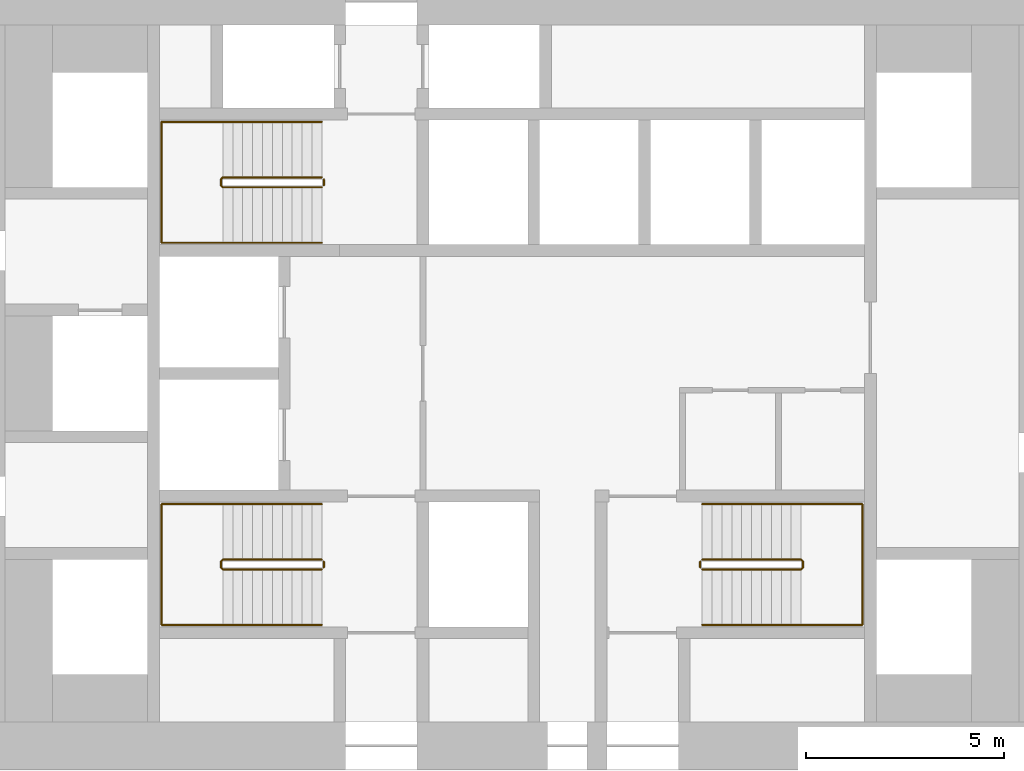
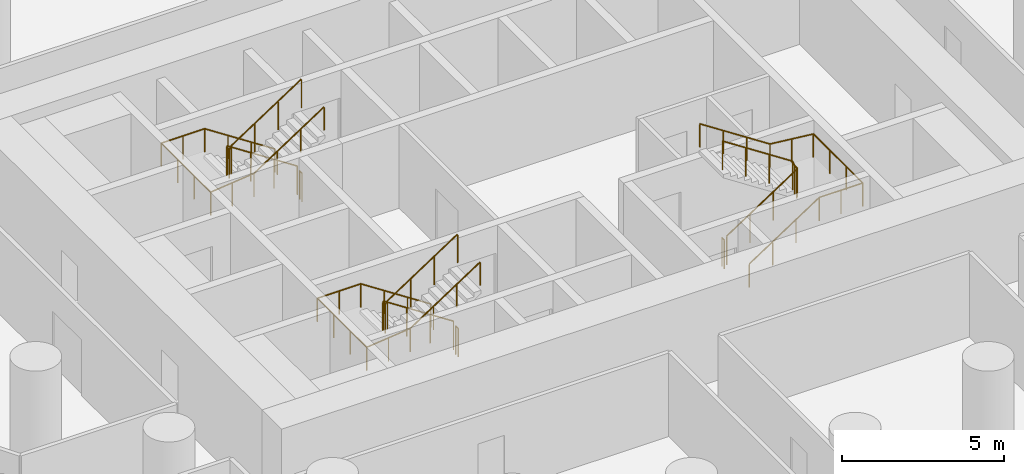
# One storey, part 12 of 12: 9 railings.
"""IFC4 building model written with IfcOpenShell, lengths in metres."""

from ifc_helpers import new_model, si_unit, direction, frame, origin, origin_2d, place, context, subcontext, project, spatial, circle, extrude, material, type_object, element, save


model = new_model("IFC4")

# Units and contexts
model_context = context("Model", 3, precision=1e-05, world=origin(), true_north=direction((0.0, 1.0)))
body_context = subcontext(model_context, "Body", "Model", "MODEL_VIEW")
ifc_project = project(units=[si_unit("LENGTHUNIT", "METRE"), si_unit("AREAUNIT", "SQUARE_METRE"), si_unit("VOLUMEUNIT", "CUBIC_METRE"), si_unit("PLANEANGLEUNIT", "RADIAN"), si_unit("MASSUNIT", "GRAM", prefix="KILO")], contexts=[model_context])

# Site, building, storey
site_placement = place(None, origin())
site = spatial("IfcSite", under=ifc_project, at=site_placement, CompositionType="ELEMENT")
building_placement = place(site_placement, origin())
building = spatial("IfcBuilding", under=site, at=building_placement, Name="Tracery Tower", CompositionType="ELEMENT")
storey_placement = place(building_placement, frame((0.0, 0.0, 53.39990234375)))
storey = spatial("IfcBuildingStorey", under=building, at=storey_placement, Name="L12", CompositionType="ELEMENT", Elevation=53.39990234375)

# Railings
ifc_material_1 = material(Name="Stainless steel and laminated glass", Category="steel")
railing_type_1 = type_object("IfcRailingType", Name="Stair guard 1100", PredefinedType="GUARDRAIL", material=ifc_material_1)
railing_1_placement = place(storey_placement, frame((-4.800048828125, -4.699951171875, 0.163818359375)))
element("IfcRailing", 1, at=railing_1_placement, inside=storey, type_object=railing_type_1, Name="L12 stair ST1 guard 1", PredefinedType="GUARDRAIL", context=body_context, shape_type="SweptSolid", body=[
    extrude(circle(Radius=0.02392578125, at=origin_2d()), frame((0.0, 0.0, 1.076171875), z_axis=(-0.836721939367, 0.0, 0.547627972425), x_axis=(0.0, -1.0, 0.0)), (0.0, 0.0, 1.0), 2.98779296875),
    extrude(circle(Radius=0.02392578125, at=origin_2d()), frame((-2.5, 0.0, 2.71240234375), z_axis=(-0.707106781187, -0.707106781187, 0.0), x_axis=(0.707106781187, -0.707106781187, 0.0)), (0.0, 0.0, 1.0), 0.07080078125),
    extrude(circle(Radius=0.02392578125, at=origin_2d()), frame((-2.550048828125, -0.050048828125, 2.71240234375), z_axis=(0.0, -1.0, 0.0), x_axis=(1.0, 0.0, 0.0)), (0.0, 0.0, 1.0), 0.14990234375),
    extrude(circle(Radius=0.02392578125, at=origin_2d()), frame((-2.550048828125, -0.199951171875, 2.71240234375), z_axis=(0.280808744504, -0.280808744504, 0.917765164963), x_axis=(0.707106781187, 0.707106781187, 0.0)), (0.0, 0.0, 1.0), 0.17822265625),
    extrude(circle(Radius=0.02392578125, at=origin_2d()), frame((-2.5, -0.25, 2.8759765625), z_axis=(0.83668449804, 0.0, 0.54768517484), x_axis=(0.0, 1.0, 0.0)), (0.0, 0.0, 1.0), 2.988037109375),
    extrude(circle(Radius=0.02099609375, at=origin_2d()), origin(), (0.0, 0.0, 1.0), 1.052001953125),
    extrude(circle(Radius=0.02099609375, at=origin_2d()), frame((-0.833251953125, 0.0, 0.54541015625)), (0.0, 0.0, 1.0), 1.052001953125),
    extrude(circle(Radius=0.02099609375, at=origin_2d()), frame((-1.666748046875, 0.0, 1.0908203125)), (0.0, 0.0, 1.0), 1.052001953125),
    extrude(circle(Radius=0.02099609375, at=origin_2d()), frame((-2.5, 0.0, 1.63623046875)), (0.0, 0.0, 1.0), 1.052001953125),
    extrude(circle(Radius=0.02099609375, at=origin_2d()), frame((-2.550048828125, -0.050048828125, 1.63623046875)), (0.0, 0.0, 1.0), 1.052001953125),
    extrude(circle(Radius=0.02099609375, at=origin_2d()), frame((-2.550048828125, -0.199951171875, 1.63623046875)), (0.0, 0.0, 1.0), 1.052001953125),
    extrude(circle(Radius=0.02099609375, at=origin_2d()), frame((-2.5, -0.25, 1.7998046875)), (0.0, 0.0, 1.0), 1.052001953125),
    extrude(circle(Radius=0.02099609375, at=origin_2d()), frame((-1.666748046875, -0.25, 2.34521484375)), (0.0, 0.0, 1.0), 1.052001953125),
    extrude(circle(Radius=0.02099609375, at=origin_2d()), frame((-0.833251953125, -0.25, 2.890869140625)), (0.0, 0.0, 1.0), 1.052001953125),
    extrude(circle(Radius=0.02099609375, at=origin_2d()), frame((0.0, -0.25, 3.436279296875)), (0.0, 0.0, 1.0), 1.052001953125),
])
railing_2_placement = place(storey_placement, frame((-4.75, -4.75, 0.0)))
element("IfcRailing", 2, at=railing_2_placement, inside=storey, type_object=railing_type_1, Name="L12 stair ST1 guard 2", PredefinedType="GUARDRAIL", context=body_context, shape_type="SweptSolid", body=[
    extrude(circle(Radius=0.02392578125, at=origin_2d()), frame((0.0, 0.0, 1.076171875), z_axis=(0.0, -1.0, 0.0), x_axis=(1.0, 0.0, 0.0)), (0.0, 0.0, 1.0), 0.14990234375),
    extrude(circle(Radius=0.02099609375, at=origin_2d()), origin(), (0.0, 0.0, 1.0), 1.052001953125),
    extrude(circle(Radius=0.02099609375, at=origin_2d()), frame((0.0, -0.14990234375, 0.0)), (0.0, 0.0, 1.0), 1.052001953125),
])
railing_3_placement = place(storey_placement, frame((-4.800048828125, 4.949951171875, 0.163818359375)))
element("IfcRailing", 3, at=railing_3_placement, inside=storey, type_object=railing_type_1, Name="L12 stair ST3 guard 1", PredefinedType="GUARDRAIL", context=body_context, shape_type="SweptSolid", body=[
    extrude(circle(Radius=0.02392578125, at=origin_2d()), frame((0.0, 0.0, 1.076171875), z_axis=(-0.836721939367, 0.0, 0.547627972425), x_axis=(0.0, -1.0, 0.0)), (0.0, 0.0, 1.0), 2.98779296875),
    extrude(circle(Radius=0.02392578125, at=origin_2d()), frame((-2.5, 0.0, 2.71240234375), z_axis=(-0.707106781187, -0.707106781187, 0.0), x_axis=(0.707106781187, -0.707106781187, 0.0)), (0.0, 0.0, 1.0), 0.07080078125),
    extrude(circle(Radius=0.02392578125, at=origin_2d()), frame((-2.550048828125, -0.050048828125, 2.71240234375), z_axis=(0.0, -1.0, 0.0), x_axis=(1.0, 0.0, 0.0)), (0.0, 0.0, 1.0), 0.14990234375),
    extrude(circle(Radius=0.02392578125, at=origin_2d()), frame((-2.550048828125, -0.199951171875, 2.71240234375), z_axis=(0.280808744504, -0.280808744504, 0.917765164963), x_axis=(0.707106781187, 0.707106781187, 0.0)), (0.0, 0.0, 1.0), 0.17822265625),
    extrude(circle(Radius=0.02392578125, at=origin_2d()), frame((-2.5, -0.25, 2.8759765625), z_axis=(0.83668449804, 0.0, 0.54768517484), x_axis=(0.0, 1.0, 0.0)), (0.0, 0.0, 1.0), 2.988037109375),
    extrude(circle(Radius=0.02099609375, at=origin_2d()), origin(), (0.0, 0.0, 1.0), 1.052001953125),
    extrude(circle(Radius=0.02099609375, at=origin_2d()), frame((-0.833251953125, 0.0, 0.54541015625)), (0.0, 0.0, 1.0), 1.052001953125),
    extrude(circle(Radius=0.02099609375, at=origin_2d()), frame((-1.666748046875, 0.0, 1.0908203125)), (0.0, 0.0, 1.0), 1.052001953125),
    extrude(circle(Radius=0.02099609375, at=origin_2d()), frame((-2.5, 0.0, 1.63623046875)), (0.0, 0.0, 1.0), 1.052001953125),
    extrude(circle(Radius=0.02099609375, at=origin_2d()), frame((-2.550048828125, -0.050048828125, 1.63623046875)), (0.0, 0.0, 1.0), 1.052001953125),
    extrude(circle(Radius=0.02099609375, at=origin_2d()), frame((-2.550048828125, -0.199951171875, 1.63623046875)), (0.0, 0.0, 1.0), 1.052001953125),
    extrude(circle(Radius=0.02099609375, at=origin_2d()), frame((-2.5, -0.25, 1.7998046875)), (0.0, 0.0, 1.0), 1.052001953125),
    extrude(circle(Radius=0.02099609375, at=origin_2d()), frame((-1.666748046875, -0.25, 2.34521484375)), (0.0, 0.0, 1.0), 1.052001953125),
    extrude(circle(Radius=0.02099609375, at=origin_2d()), frame((-0.833251953125, -0.25, 2.890869140625)), (0.0, 0.0, 1.0), 1.052001953125),
    extrude(circle(Radius=0.02099609375, at=origin_2d()), frame((0.0, -0.25, 3.436279296875)), (0.0, 0.0, 1.0), 1.052001953125),
])
railing_4_placement = place(storey_placement, frame((-4.75, 4.89990234375, 0.0)))
element("IfcRailing", 4, at=railing_4_placement, inside=storey, type_object=railing_type_1, Name="L12 stair ST3 guard 2", PredefinedType="GUARDRAIL", context=body_context, shape_type="SweptSolid", body=[
    extrude(circle(Radius=0.02392578125, at=origin_2d()), frame((0.0, 0.0, 1.076171875), z_axis=(0.0, -1.0, 0.0), x_axis=(1.0, 0.0, 0.0)), (0.0, 0.0, 1.0), 0.14990234375),
    extrude(circle(Radius=0.02099609375, at=origin_2d()), origin(), (0.0, 0.0, 1.0), 1.052001953125),
    extrude(circle(Radius=0.02099609375, at=origin_2d()), frame((0.0, -0.14990234375, 0.0)), (0.0, 0.0, 1.0), 1.052001953125),
])
railing_5_placement = place(storey_placement, frame((4.800048828125, -4.949951171875, 0.163818359375)))
element("IfcRailing", 5, at=railing_5_placement, inside=storey, type_object=railing_type_1, Name="L12 stair ST2 guard 1", PredefinedType="GUARDRAIL", context=body_context, shape_type="SweptSolid", body=[
    extrude(circle(Radius=0.02392578125, at=origin_2d()), frame((0.0, 0.0, 1.076171875), z_axis=(0.836721939367, 0.0, 0.547627972425), x_axis=(0.0, 1.0, 0.0)), (0.0, 0.0, 1.0), 2.98779296875),
    extrude(circle(Radius=0.02392578125, at=origin_2d()), frame((2.5, 0.0, 2.71240234375), z_axis=(0.707106781187, 0.707106781187, 0.0), x_axis=(-0.707106781187, 0.707106781187, 0.0)), (0.0, 0.0, 1.0), 0.07080078125),
    extrude(circle(Radius=0.02392578125, at=origin_2d()), frame((2.550048828125, 0.050048828125, 2.71240234375), z_axis=(0.0, 1.0, 0.0), x_axis=(-1.0, 0.0, 0.0)), (0.0, 0.0, 1.0), 0.14990234375),
    extrude(circle(Radius=0.02392578125, at=origin_2d()), frame((2.550048828125, 0.199951171875, 2.71240234375), z_axis=(-0.280808744504, 0.280808744504, 0.917765164963), x_axis=(-0.707106781187, -0.707106781187, 0.0)), (0.0, 0.0, 1.0), 0.17822265625),
    extrude(circle(Radius=0.02392578125, at=origin_2d()), frame((2.5, 0.25, 2.8759765625), z_axis=(-0.83668449804, 0.0, 0.54768517484), x_axis=(0.0, -1.0, 0.0)), (0.0, 0.0, 1.0), 2.988037109375),
    extrude(circle(Radius=0.02099609375, at=origin_2d()), origin(), (0.0, 0.0, 1.0), 1.052001953125),
    extrude(circle(Radius=0.02099609375, at=origin_2d()), frame((0.833251953125, 0.0, 0.54541015625)), (0.0, 0.0, 1.0), 1.052001953125),
    extrude(circle(Radius=0.02099609375, at=origin_2d()), frame((1.666748046875, 0.0, 1.0908203125)), (0.0, 0.0, 1.0), 1.052001953125),
    extrude(circle(Radius=0.02099609375, at=origin_2d()), frame((2.5, 0.0, 1.63623046875)), (0.0, 0.0, 1.0), 1.052001953125),
    extrude(circle(Radius=0.02099609375, at=origin_2d()), frame((2.550048828125, 0.050048828125, 1.63623046875)), (0.0, 0.0, 1.0), 1.052001953125),
    extrude(circle(Radius=0.02099609375, at=origin_2d()), frame((2.550048828125, 0.199951171875, 1.63623046875)), (0.0, 0.0, 1.0), 1.052001953125),
    extrude(circle(Radius=0.02099609375, at=origin_2d()), frame((2.5, 0.25, 1.7998046875)), (0.0, 0.0, 1.0), 1.052001953125),
    extrude(circle(Radius=0.02099609375, at=origin_2d()), frame((1.666748046875, 0.25, 2.34521484375)), (0.0, 0.0, 1.0), 1.052001953125),
    extrude(circle(Radius=0.02099609375, at=origin_2d()), frame((0.833251953125, 0.25, 2.890869140625)), (0.0, 0.0, 1.0), 1.052001953125),
    extrude(circle(Radius=0.02099609375, at=origin_2d()), frame((0.0, 0.25, 3.436279296875)), (0.0, 0.0, 1.0), 1.052001953125),
])
railing_6_placement = place(storey_placement, frame((4.75, -4.89990234375, 0.0)))
element("IfcRailing", 6, at=railing_6_placement, inside=storey, type_object=railing_type_1, Name="L12 stair ST2 guard 2", PredefinedType="GUARDRAIL", context=body_context, shape_type="SweptSolid", body=[
    extrude(circle(Radius=0.02392578125, at=origin_2d()), frame((0.0, 0.0, 1.076171875), z_axis=(0.0, 1.0, 0.0), x_axis=(-1.0, 0.0, 0.0)), (0.0, 0.0, 1.0), 0.14990234375),
    extrude(circle(Radius=0.02099609375, at=origin_2d()), origin(), (0.0, 0.0, 1.0), 1.052001953125),
    extrude(circle(Radius=0.02099609375, at=origin_2d()), frame((0.0, 0.14990234375, 0.0)), (0.0, 0.0, 1.0), 1.052001953125),
])
ifc_material_2 = material(Name="Stainless steel and laminated glass", Category="steel")
railing_type_2 = type_object("IfcRailingType", Name="Stair handrail 900", PredefinedType="HANDRAIL", material=ifc_material_2)
railing_7_placement = place(storey_placement, frame((-4.800048828125, -3.300048828125, 0.163818359375)))
element("IfcRailing", 7, at=railing_7_placement, inside=storey, type_object=railing_type_2, Name="L12 stair ST1 handrail 1", PredefinedType="HANDRAIL", context=body_context, shape_type="SweptSolid", body=[
    extrude(circle(Radius=0.02392578125, at=origin_2d()), frame((0.0, 0.0, 0.8759765625), z_axis=(-0.836721939367, 0.0, 0.547627972425), x_axis=(0.0, -1.0, 0.0)), (0.0, 0.0, 1.0), 2.98779296875),
    extrude(circle(Radius=0.02392578125, at=origin_2d()), frame((-2.5, 0.0, 2.51220703125), z_axis=(-1.0, 0.0, 0.0), x_axis=(0.0, -1.0, 0.0)), (0.0, 0.0, 1.0), 1.550048828125),
    extrude(circle(Radius=0.02392578125, at=origin_2d()), frame((-4.050048828125, 0.0, 2.51220703125), z_axis=(0.0, -1.0, 0.0), x_axis=(1.0, 0.0, 0.0)), (0.0, 0.0, 1.0), 3.050048828125),
    extrude(circle(Radius=0.02392578125, at=origin_2d()), frame((-4.050048828125, -3.050048828125, 2.51220703125), z_axis=(0.994477953863, 0.0, 0.104945696817), x_axis=(0.0, 1.0, 0.0)), (0.0, 0.0, 1.0), 1.55859375),
    extrude(circle(Radius=0.02392578125, at=origin_2d()), frame((-2.5, -3.050048828125, 2.67578125), z_axis=(0.83668449804, 0.0, 0.54768517484), x_axis=(0.0, 1.0, 0.0)), (0.0, 0.0, 1.0), 2.988037109375),
    extrude(circle(Radius=0.02099609375, at=origin_2d()), origin(), (0.0, 0.0, 1.0), 0.851806640625),
    extrude(circle(Radius=0.02099609375, at=origin_2d()), frame((-0.833251953125, 0.0, 0.54541015625)), (0.0, 0.0, 1.0), 0.851806640625),
    extrude(circle(Radius=0.02099609375, at=origin_2d()), frame((-1.666748046875, 0.0, 1.0908203125)), (0.0, 0.0, 1.0), 0.851806640625),
    extrude(circle(Radius=0.02099609375, at=origin_2d()), frame((-2.5, 0.0, 1.63623046875)), (0.0, 0.0, 1.0), 0.851806640625),
    extrude(circle(Radius=0.02099609375, at=origin_2d()), frame((-3.27490234375, 0.0, 1.63623046875)), (0.0, 0.0, 1.0), 0.851806640625),
    extrude(circle(Radius=0.02099609375, at=origin_2d()), frame((-4.050048828125, 0.0, 1.63623046875)), (0.0, 0.0, 1.0), 0.851806640625),
    extrude(circle(Radius=0.02099609375, at=origin_2d()), frame((-4.050048828125, -1.0166015625, 1.63623046875)), (0.0, 0.0, 1.0), 0.851806640625),
    extrude(circle(Radius=0.02099609375, at=origin_2d()), frame((-4.050048828125, -2.033447265625, 1.63623046875)), (0.0, 0.0, 1.0), 0.851806640625),
    extrude(circle(Radius=0.02099609375, at=origin_2d()), frame((-4.050048828125, -3.050048828125, 1.63623046875)), (0.0, 0.0, 1.0), 0.851806640625),
    extrude(circle(Radius=0.02099609375, at=origin_2d()), frame((-3.27490234375, -3.050048828125, 1.718017578125)), (0.0, 0.0, 1.0), 0.851806640625),
    extrude(circle(Radius=0.02099609375, at=origin_2d()), frame((-2.5, -3.050048828125, 1.7998046875)), (0.0, 0.0, 1.0), 0.851806640625),
    extrude(circle(Radius=0.02099609375, at=origin_2d()), frame((-1.666748046875, -3.050048828125, 2.34521484375)), (0.0, 0.0, 1.0), 0.851806640625),
    extrude(circle(Radius=0.02099609375, at=origin_2d()), frame((-0.833251953125, -3.050048828125, 2.890869140625)), (0.0, 0.0, 1.0), 0.851806640625),
    extrude(circle(Radius=0.02099609375, at=origin_2d()), frame((0.0, -3.050048828125, 3.436279296875)), (0.0, 0.0, 1.0), 0.851806640625),
])
railing_8_placement = place(storey_placement, frame((-4.800048828125, 6.35009765625, 0.163818359375)))
element("IfcRailing", 8, at=railing_8_placement, inside=storey, type_object=railing_type_2, Name="L12 stair ST3 handrail 1", PredefinedType="HANDRAIL", context=body_context, shape_type="SweptSolid", body=[
    extrude(circle(Radius=0.02392578125, at=origin_2d()), frame((0.0, 0.0, 0.8759765625), z_axis=(-0.836721939367, 0.0, 0.547627972425), x_axis=(0.0, -1.0, 0.0)), (0.0, 0.0, 1.0), 2.98779296875),
    extrude(circle(Radius=0.02392578125, at=origin_2d()), frame((-2.5, 0.0, 2.51220703125), z_axis=(-1.0, 0.0, 0.0), x_axis=(0.0, -1.0, 0.0)), (0.0, 0.0, 1.0), 1.550048828125),
    extrude(circle(Radius=0.02392578125, at=origin_2d()), frame((-4.050048828125, 0.0, 2.51220703125), z_axis=(0.0, -1.0, 0.0), x_axis=(1.0, 0.0, 0.0)), (0.0, 0.0, 1.0), 3.050048828125),
    extrude(circle(Radius=0.02392578125, at=origin_2d()), frame((-4.050048828125, -3.050048828125, 2.51220703125), z_axis=(0.994477953863, 0.0, 0.104945696817), x_axis=(0.0, 1.0, 0.0)), (0.0, 0.0, 1.0), 1.55859375),
    extrude(circle(Radius=0.02392578125, at=origin_2d()), frame((-2.5, -3.050048828125, 2.67578125), z_axis=(0.83668449804, 0.0, 0.54768517484), x_axis=(0.0, 1.0, 0.0)), (0.0, 0.0, 1.0), 2.988037109375),
    extrude(circle(Radius=0.02099609375, at=origin_2d()), origin(), (0.0, 0.0, 1.0), 0.851806640625),
    extrude(circle(Radius=0.02099609375, at=origin_2d()), frame((-0.833251953125, 0.0, 0.54541015625)), (0.0, 0.0, 1.0), 0.851806640625),
    extrude(circle(Radius=0.02099609375, at=origin_2d()), frame((-1.666748046875, 0.0, 1.0908203125)), (0.0, 0.0, 1.0), 0.851806640625),
    extrude(circle(Radius=0.02099609375, at=origin_2d()), frame((-2.5, 0.0, 1.63623046875)), (0.0, 0.0, 1.0), 0.851806640625),
    extrude(circle(Radius=0.02099609375, at=origin_2d()), frame((-3.27490234375, 0.0, 1.63623046875)), (0.0, 0.0, 1.0), 0.851806640625),
    extrude(circle(Radius=0.02099609375, at=origin_2d()), frame((-4.050048828125, 0.0, 1.63623046875)), (0.0, 0.0, 1.0), 0.851806640625),
    extrude(circle(Radius=0.02099609375, at=origin_2d()), frame((-4.050048828125, -1.0166015625, 1.63623046875)), (0.0, 0.0, 1.0), 0.851806640625),
    extrude(circle(Radius=0.02099609375, at=origin_2d()), frame((-4.050048828125, -2.033447265625, 1.63623046875)), (0.0, 0.0, 1.0), 0.851806640625),
    extrude(circle(Radius=0.02099609375, at=origin_2d()), frame((-4.050048828125, -3.050048828125, 1.63623046875)), (0.0, 0.0, 1.0), 0.851806640625),
    extrude(circle(Radius=0.02099609375, at=origin_2d()), frame((-3.27490234375, -3.050048828125, 1.718017578125)), (0.0, 0.0, 1.0), 0.851806640625),
    extrude(circle(Radius=0.02099609375, at=origin_2d()), frame((-2.5, -3.050048828125, 1.7998046875)), (0.0, 0.0, 1.0), 0.851806640625),
    extrude(circle(Radius=0.02099609375, at=origin_2d()), frame((-1.666748046875, -3.050048828125, 2.34521484375)), (0.0, 0.0, 1.0), 0.851806640625),
    extrude(circle(Radius=0.02099609375, at=origin_2d()), frame((-0.833251953125, -3.050048828125, 2.890869140625)), (0.0, 0.0, 1.0), 0.851806640625),
    extrude(circle(Radius=0.02099609375, at=origin_2d()), frame((0.0, -3.050048828125, 3.436279296875)), (0.0, 0.0, 1.0), 0.851806640625),
])
railing_9_placement = place(storey_placement, frame((4.800048828125, -6.35009765625, 0.163818359375)))
element("IfcRailing", 9, at=railing_9_placement, inside=storey, type_object=railing_type_2, Name="L12 stair ST2 handrail 1", PredefinedType="HANDRAIL", context=body_context, shape_type="SweptSolid", body=[
    extrude(circle(Radius=0.02392578125, at=origin_2d()), frame((0.0, 0.0, 0.8759765625), z_axis=(0.836721939367, 0.0, 0.547627972425), x_axis=(0.0, 1.0, 0.0)), (0.0, 0.0, 1.0), 2.98779296875),
    extrude(circle(Radius=0.02392578125, at=origin_2d()), frame((2.5, 0.0, 2.51220703125), z_axis=(1.0, 0.0, 0.0), x_axis=(0.0, 1.0, 0.0)), (0.0, 0.0, 1.0), 1.550048828125),
    extrude(circle(Radius=0.02392578125, at=origin_2d()), frame((4.050048828125, 0.0, 2.51220703125), z_axis=(0.0, 1.0, 0.0), x_axis=(-1.0, 0.0, 0.0)), (0.0, 0.0, 1.0), 3.050048828125),
    extrude(circle(Radius=0.02392578125, at=origin_2d()), frame((4.050048828125, 3.050048828125, 2.51220703125), z_axis=(-0.994477953863, 0.0, 0.104945696817), x_axis=(0.0, -1.0, 0.0)), (0.0, 0.0, 1.0), 1.55859375),
    extrude(circle(Radius=0.02392578125, at=origin_2d()), frame((2.5, 3.050048828125, 2.67578125), z_axis=(-0.83668449804, 0.0, 0.54768517484), x_axis=(0.0, -1.0, 0.0)), (0.0, 0.0, 1.0), 2.988037109375),
    extrude(circle(Radius=0.02099609375, at=origin_2d()), origin(), (0.0, 0.0, 1.0), 0.851806640625),
    extrude(circle(Radius=0.02099609375, at=origin_2d()), frame((0.833251953125, 0.0, 0.54541015625)), (0.0, 0.0, 1.0), 0.851806640625),
    extrude(circle(Radius=0.02099609375, at=origin_2d()), frame((1.666748046875, 0.0, 1.0908203125)), (0.0, 0.0, 1.0), 0.851806640625),
    extrude(circle(Radius=0.02099609375, at=origin_2d()), frame((2.5, 0.0, 1.63623046875)), (0.0, 0.0, 1.0), 0.851806640625),
    extrude(circle(Radius=0.02099609375, at=origin_2d()), frame((3.27490234375, 0.0, 1.63623046875)), (0.0, 0.0, 1.0), 0.851806640625),
    extrude(circle(Radius=0.02099609375, at=origin_2d()), frame((4.050048828125, 0.0, 1.63623046875)), (0.0, 0.0, 1.0), 0.851806640625),
    extrude(circle(Radius=0.02099609375, at=origin_2d()), frame((4.050048828125, 1.0166015625, 1.63623046875)), (0.0, 0.0, 1.0), 0.851806640625),
    extrude(circle(Radius=0.02099609375, at=origin_2d()), frame((4.050048828125, 2.033447265625, 1.63623046875)), (0.0, 0.0, 1.0), 0.851806640625),
    extrude(circle(Radius=0.02099609375, at=origin_2d()), frame((4.050048828125, 3.050048828125, 1.63623046875)), (0.0, 0.0, 1.0), 0.851806640625),
    extrude(circle(Radius=0.02099609375, at=origin_2d()), frame((3.27490234375, 3.050048828125, 1.718017578125)), (0.0, 0.0, 1.0), 0.851806640625),
    extrude(circle(Radius=0.02099609375, at=origin_2d()), frame((2.5, 3.050048828125, 1.7998046875)), (0.0, 0.0, 1.0), 0.851806640625),
    extrude(circle(Radius=0.02099609375, at=origin_2d()), frame((1.666748046875, 3.050048828125, 2.34521484375)), (0.0, 0.0, 1.0), 0.851806640625),
    extrude(circle(Radius=0.02099609375, at=origin_2d()), frame((0.833251953125, 3.050048828125, 2.890869140625)), (0.0, 0.0, 1.0), 0.851806640625),
    extrude(circle(Radius=0.02099609375, at=origin_2d()), frame((0.0, 3.050048828125, 3.436279296875)), (0.0, 0.0, 1.0), 0.851806640625),
])

save(model, "model.ifc")
